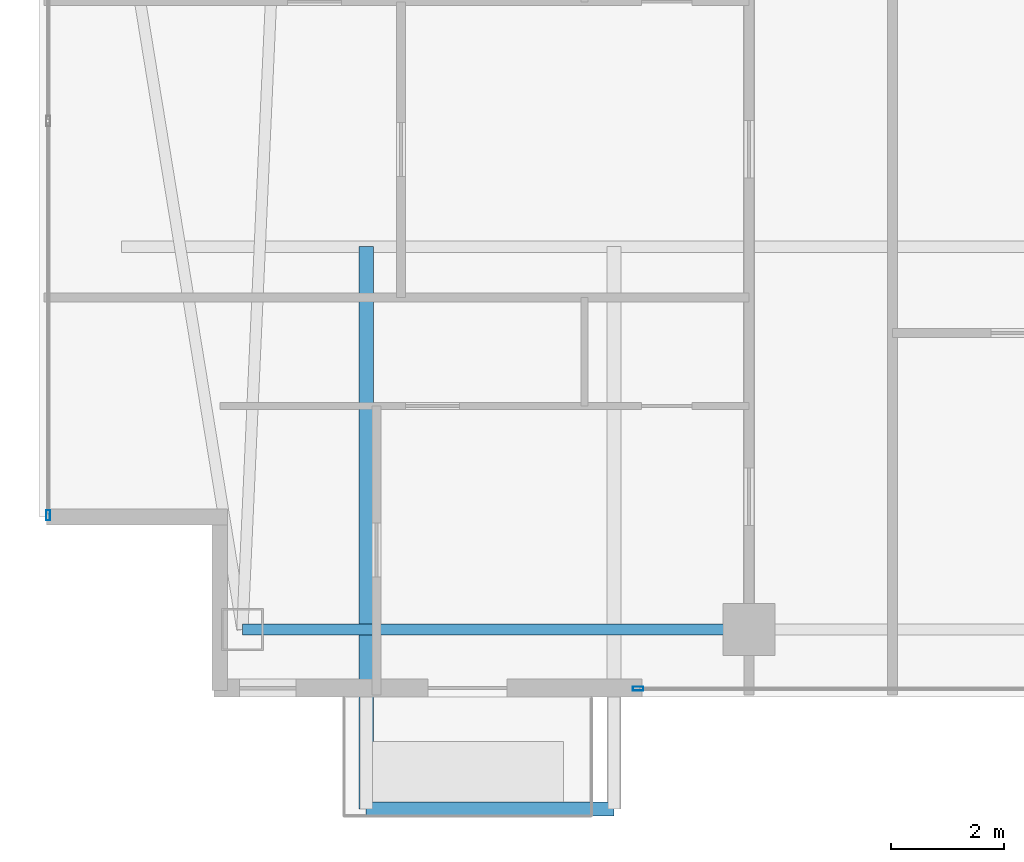
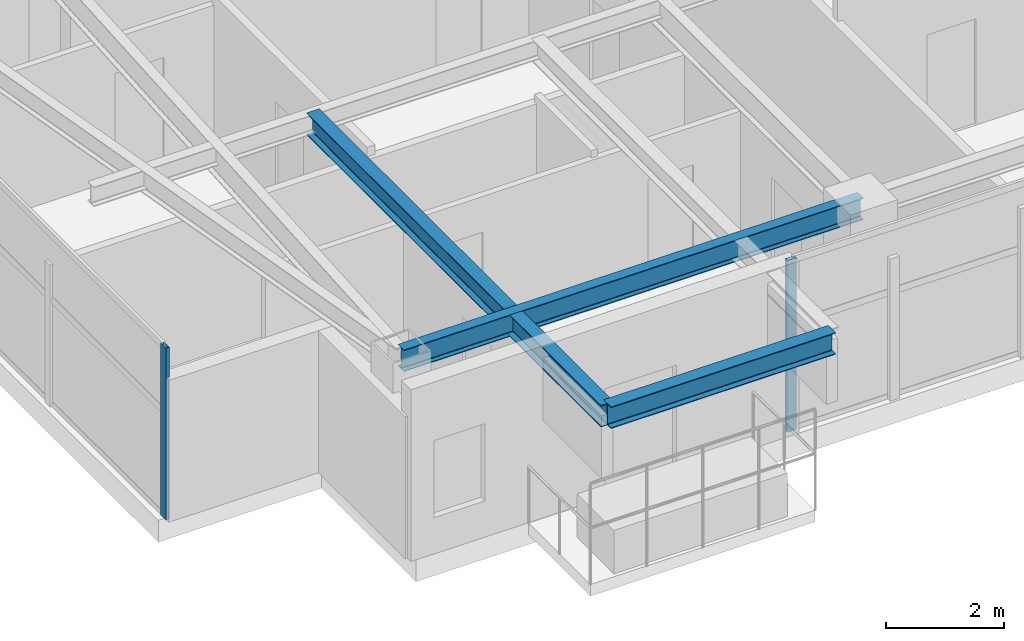
# One storey, part 2 of 28: 3 beams, 2 members, 2 elements without a shape of their own.
"""IFC4 building model written with IfcOpenShell, lengths in metres."""

from ifc_helpers import new_model, si_unit, direction, frame, origin, origin_2d, place, context, subcontext, project, spatial, hollow_rectangle, i_section, extrude, material, layer, layer_set, material_profile, profile_set, type_object, element, aggregate, save


model = new_model("IFC4")

# Units and contexts
model_context = context("Model", 3, precision=1e-05, world=origin(), true_north=direction((0.0, 1.0)))
body_context = subcontext(model_context, "Body", "Model", "MODEL_VIEW")
ifc_project = project(units=[si_unit("LENGTHUNIT", "METRE"), si_unit("AREAUNIT", "SQUARE_METRE"), si_unit("VOLUMEUNIT", "CUBIC_METRE"), si_unit("PLANEANGLEUNIT", "RADIAN"), si_unit("MASSUNIT", "GRAM", prefix="KILO")], contexts=[model_context])

# Site, building, storey
site_placement = place(None, origin())
site = spatial("IfcSite", under=ifc_project, at=site_placement, CompositionType="ELEMENT")
building_placement = place(site_placement, origin())
building = spatial("IfcBuilding", under=site, at=building_placement, Name="Calvorn Quay Hotel", CompositionType="ELEMENT")
storey_placement = place(building_placement, frame((0.0, 0.0, 219.300048828125)))
storey = spatial("IfcBuildingStorey", under=building, at=storey_placement, Name="L54", CompositionType="ELEMENT", Elevation=219.300048828125)

# Beams
ifc_material_1 = material(Name="Steel Q355B", Category="steel")
ifc_material_profile_1 = material_profile(ifc_material_1, i_section(OverallWidth=0.25, OverallDepth=0.449951171875, WebThickness=0.011962890625, FlangeThickness=0.01611328125, FilletRadius=0.01611328125, at=origin_2d()), Name="HN450x250x12x16")
ifc_profile_set_1 = profile_set([ifc_material_profile_1], Name="Steel Q355B")
beam_type_1 = type_object("IfcBeamType", Name="BM-CANT-BALC", PredefinedType="BEAM", material=ifc_profile_set_1)
beam_1_placement = place(storey_placement, frame((5.800048828125, 10.39990234375, 3.31494140625), z_axis=(0.0, -1.0, 0.0), x_axis=(1.0, 0.0, 0.0)))
element("IfcBeam", 1, at=beam_1_placement, inside=storey, type_object=beam_type_1, Name="Cantilever Balcony Beam BCB-L55-2A", PredefinedType="BEAM", context=body_context, shape_type="SweptSolid", body=[
    extrude(i_section(OverallWidth=0.25, OverallDepth=0.449951171875, WebThickness=0.011962890625, FlangeThickness=0.01611328125, FilletRadius=0.01611328125, at=origin_2d()), origin(), (0.0, 0.0, 1.0), 9.989990234375),
])
beam_2_placement = place(storey_placement, frame((5.800048828125, 0.409912109375, 3.31494140625), z_axis=(1.0, 0.0, 0.0), x_axis=(0.0, 1.0, 0.0)))
element("IfcBeam", 2, at=beam_2_placement, inside=storey, type_object=beam_type_1, Name="Beam BCBO-L55-2", PredefinedType="BEAM", context=body_context, shape_type="SweptSolid", body=[
    extrude(i_section(OverallWidth=0.25, OverallDepth=0.449951171875, WebThickness=0.011962890625, FlangeThickness=0.01611328125, FilletRadius=0.01611328125, at=origin_2d()), origin(), (0.0, 0.0, 1.0), 4.39990234375),
])
ifc_material_2 = material(Name="Steel Q355B", Category="steel")
ifc_material_profile_2 = material_profile(ifc_material_2, i_section(OverallWidth=0.199951171875, OverallDepth=0.449951171875, WebThickness=0.009033203125, FlangeThickness=0.013916015625, FilletRadius=0.01611328125, at=origin_2d()), Name="HN450x200x9x14")
ifc_profile_set_2 = profile_set([ifc_material_profile_2], Name="Steel Q355B")
beam_type_2 = type_object("IfcBeamType", Name="BM-SPANDREL-Z3", PredefinedType="SPANDREL", material=ifc_profile_set_2)
beam_3_placement = place(storey_placement, frame((3.60009765625, 3.60009765625, 3.31494140625), z_axis=(1.0, 0.0, 0.0), x_axis=(0.0, 1.0, 0.0)))
element("IfcBeam", 3, at=beam_3_placement, inside=storey, type_object=beam_type_2, Name="Beam BSP-L54-S1", PredefinedType="SPANDREL", context=body_context, shape_type="SweptSolid", body=[
    extrude(i_section(OverallWidth=0.199951171875, OverallDepth=0.449951171875, WebThickness=0.009033203125, FlangeThickness=0.013916015625, FilletRadius=0.01611328125, at=origin_2d()), origin(), (0.0, 0.0, 1.0), 9.0),
])

# Curtain wall, member
ifc_material_3 = material(Name="Champagne Bronze Anodised Aluminium and Low-E Glass", Category="aluminium")
ifc_layer = layer(ifc_material_3, 0.219970703125)
ifc_layer_set = layer_set([ifc_layer], Name="CW-SYS-Z3")
curtain_wall_type = type_object("IfcCurtainWallType", Name="CW-SYS-Z3", PredefinedType="NOTDEFINED", material=ifc_layer_set)
curtain_wall_1_placement = place(storey_placement, origin())
curtain_wall_1 = element("IfcCurtainWall", 4, at=curtain_wall_1_placement, inside=storey, type_object=curtain_wall_type, Name="Tower West Curtain Wall (L54)", PredefinedType="NOTDEFINED")
ifc_material_4 = material(Name="Champagne Bronze Anodised Aluminium 6063-T6", Category="aluminium")
ifc_material_profile_3 = material_profile(ifc_material_4, hollow_rectangle(XDim=0.068115234375, YDim=0.18505859375, WallThickness=0.00390625, at=origin_2d()), Name="ALU-M185x68x4")
ifc_profile_set_3 = profile_set([ifc_material_profile_3], Name="Champagne Bronze Anodised Aluminium 6063-T6")
member_type = type_object("IfcMemberType", Name="CW-SYS-Z3-MUL", PredefinedType="MULLION", material=ifc_profile_set_3)
member_1_placement = place(storey_placement, frame((0.14990234375, 5.6298828125, 0.0), z_axis=(0.0, 0.0, 1.0), x_axis=(-1.0, 0.0, 0.0)))
member_1 = element("IfcMember", 5, at=member_1_placement, type_object=member_type, Name="CW-L54-W mullion 1", PredefinedType="MULLION", context=body_context, shape_type="SweptSolid", body=[
    extrude(hollow_rectangle(XDim=0.068115234375, YDim=0.18505859375, WallThickness=0.00390625, at=origin_2d()), origin(), (0.0, 0.0, 1.0), 3.56005859375),
])
aggregate(curtain_wall_1, [member_1])

curtain_wall_2_placement = place(storey_placement, origin())
curtain_wall_2 = element("IfcCurtainWall", 6, at=curtain_wall_2_placement, inside=storey, type_object=curtain_wall_type, Name="Tower South Waterfront Curtain Wall (L54)", PredefinedType="NOTDEFINED")
member_2_placement = place(storey_placement, frame((10.6298828125, 2.550048828125, 0.0), z_axis=(0.0, 0.0, 1.0), x_axis=(0.0, 1.0, 0.0)))
member_2 = element("IfcMember", 7, at=member_2_placement, type_object=member_type, Name="CW-L54-S mullion 1", PredefinedType="MULLION", context=body_context, shape_type="SweptSolid", body=[
    extrude(hollow_rectangle(XDim=0.068115234375, YDim=0.18505859375, WallThickness=0.00390625, at=origin_2d()), origin(), (0.0, 0.0, 1.0), 3.56005859375),
])
aggregate(curtain_wall_2, [member_2])

save(model, "model.ifc")
